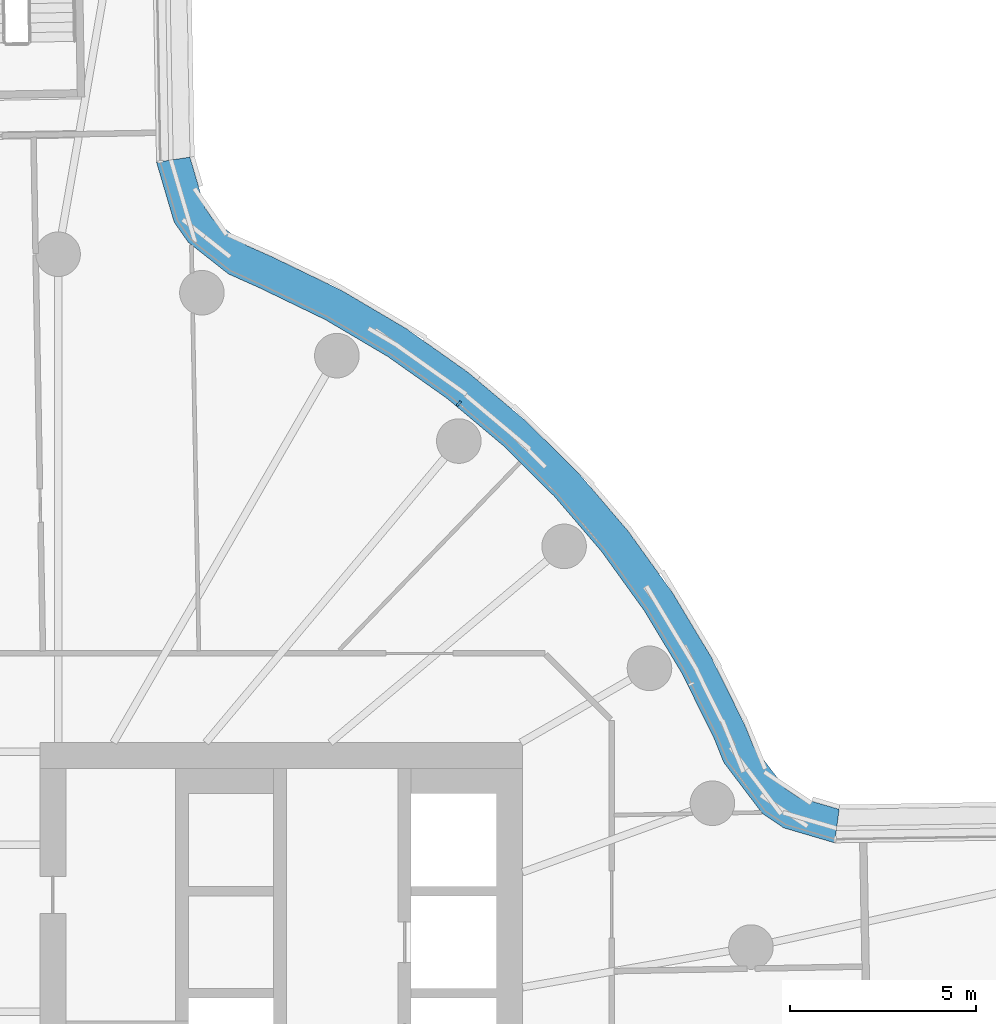
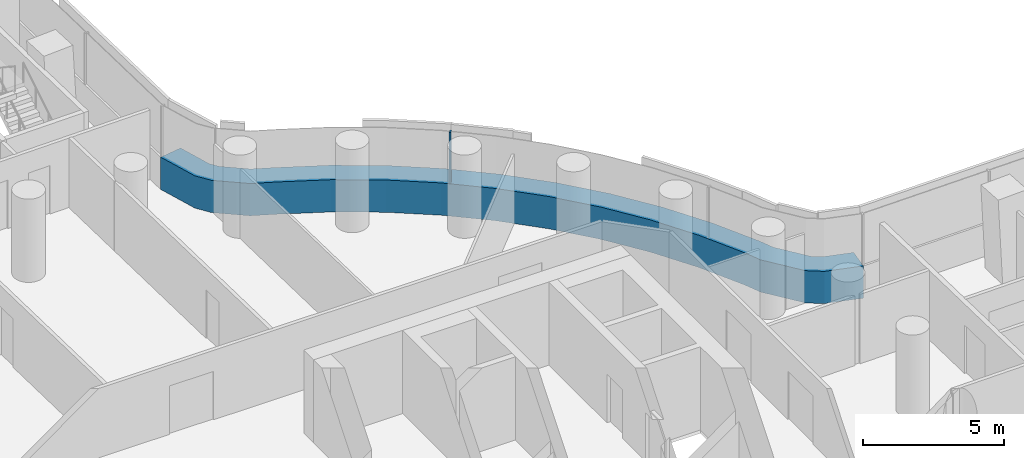
# One storey, part 16 of 31: 2 members, 1 element without a shape of its own.
"""IFC4 building model written with IfcOpenShell, lengths in metres."""

from ifc_helpers import new_model, si_unit, direction, frame, origin, origin_2d, place, context, subcontext, project, spatial, polyline, rectangle, outline, extrude, material, layer, layer_set, material_profile, profile_set, type_object, element, aggregate, save


model = new_model("IFC4")

# Units and contexts
model_context = context("Model", 3, precision=1e-05, world=origin(), true_north=direction((0.0, 1.0)))
body_context = subcontext(model_context, "Body", "Model", "MODEL_VIEW")
ifc_project = project(units=[si_unit("LENGTHUNIT", "METRE"), si_unit("AREAUNIT", "SQUARE_METRE"), si_unit("VOLUMEUNIT", "CUBIC_METRE"), si_unit("PLANEANGLEUNIT", "RADIAN"), si_unit("MASSUNIT", "GRAM", prefix="KILO")], contexts=[model_context])

# Site, building, storey
site_placement = place(None, origin())
site = spatial("IfcSite", under=ifc_project, at=site_placement, CompositionType="ELEMENT")
building_placement = place(site_placement, origin())
building = spatial("IfcBuilding", under=site, at=building_placement, Name="Tamarind Cross Interchange Tower", CompositionType="ELEMENT")
storey_placement = place(building_placement, frame((0.0, 0.0, 37.75)))
storey = spatial("IfcBuildingStorey", under=building, at=storey_placement, Name="L07", CompositionType="ELEMENT", Elevation=37.75)

# Curtain wall, members
ifc_material_1 = material(Name="Aluminium 6063-T6", Category="aluminium")
ifc_layer = layer(ifc_material_1, 0.159912109375)
ifc_layer_set = layer_set([ifc_layer], Name="Aluminium 6063-T6")
curtain_wall_type = type_object("IfcCurtainWallType", Name="Office curtain wall, 9.0 m bays", PredefinedType="NOTDEFINED", material=ifc_layer_set)
curtain_wall_placement = place(storey_placement, origin())
curtain_wall = element("IfcCurtainWall", 1, at=curtain_wall_placement, inside=storey, type_object=curtain_wall_type, Name="CWS-L07-14", PredefinedType="NOTDEFINED")
ifc_material_2 = material(Name="Aluminium and insulated spandrel panel", Category="aluminium")
member_type_1 = type_object("IfcMemberType", Name="Floor-edge blade transom", PredefinedType="USERDEFINED", material=ifc_material_2)
member_1_placement = place(storey_placement, origin())
member_1 = element("IfcMember", 2, at=member_1_placement, type_object=member_type_1, Name="CWT-L07-14", ObjectType="TRANSOM", PredefinedType="USERDEFINED", context=body_context, shape_type="SweptSolid", body=[
    extrude(outline(polyline([(24.904052734375, 6.7998046875), (23.531982421875, 7.203369140625), (22.966064453125, 7.58251953125), (21.923095703125, 8.958984375), (21.6591796875, 9.610595703125), (20.791015625, 11.367431640625), (19.78125, 13.045654296875), (18.636474609375, 14.634521484375), (17.3642578125, 16.12353515625), (15.973388671875, 17.50244140625), (14.4736328125, 18.76171875), (12.874755859375, 19.892822265625), (11.188232421875, 20.88818359375), (9.417724609375, 21.744140625), (8.582275390625, 22.117919921875), (7.496826171875, 22.972900390625), (7.118408203125, 23.516357421875), (6.64404296875, 25.127197265625), (7.541748046875, 25.264892578125), (7.9404296875, 23.910888671875), (8.158935546875, 23.59716796875), (9.0517578125, 22.89404296875), (9.797607421875, 22.56005859375), (11.613525390625, 21.68212890625), (13.3642578125, 20.64892578125), (15.023681640625, 19.474853515625), (16.580810546875, 18.167724609375), (18.0244140625, 16.736572265625), (19.344970703125, 15.19091796875), (20.533203125, 13.54150390625), (21.581298828125, 11.799560546875), (22.48095703125, 9.9794921875), (22.71240234375, 9.407470703125), (23.59228515625, 8.246337890625), (23.91845703125, 8.02783203125), (25.026611328125, 7.701904296875), (24.904052734375, 6.7998046875)])), origin(), (0.0, 0.0, 1.0), 1.39990234375),
])
ifc_material_profile = material_profile(ifc_material_1, rectangle(XDim=0.06005859375, YDim=0.159912109375, at=origin_2d()), Name="Mullion CW1")
ifc_profile_set = profile_set([ifc_material_profile], Name="Aluminium 6063-T6")
member_type_2 = type_object("IfcMemberType", Name="Mullion CW1", PredefinedType="MULLION", material=ifc_profile_set)
member_2_placement = place(storey_placement, frame((14.784423828125, 18.631103515625, 1.39990234375), z_axis=(0.0, 0.0, 1.0), x_axis=(-0.765858396687, 0.643009266048, 0.0)))
member_2 = element("IfcMember", 3, at=member_2_placement, type_object=member_type_2, Name="CWM-L07-14-02", PredefinedType="MULLION", context=body_context, shape_type="SweptSolid", body=[
    extrude(rectangle(XDim=0.06005859375, YDim=0.159912109375, at=origin_2d()), origin(), (0.0, 0.0, 1.0), 2.210205078125),
])
aggregate(curtain_wall, [member_2, member_1])

save(model, "model.ifc")
